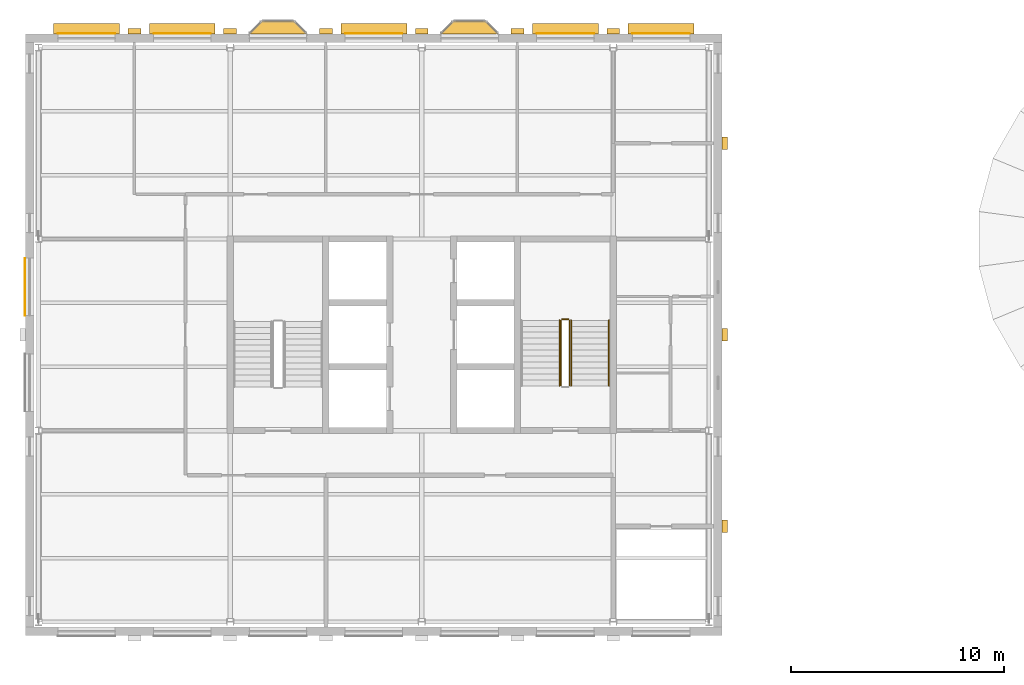
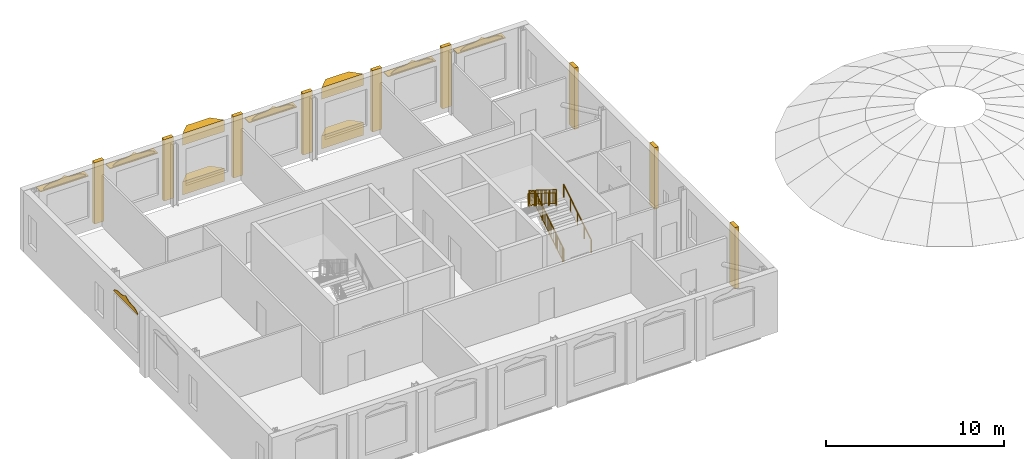
# One storey, part 11 of 11: 19 coverings, 6 railings, 5 shading devices.
"""IFC4 building model written with IfcOpenShell, lengths in metres."""

import ifcopenshell
import ifcopenshell.guid

model = None  # the IFC model being written
_history = None  # IfcOwnerHistory: only IFC2X3 demands one
_inside = {}  # id of a spatial element -> (the spatial element, [elements in it])
_under = {}  # id of a project, library or spatial element -> (it, [spatial elements below it])
_declared = {}  # id of a project -> (the project, [libraries it declares])
_typed = {}  # id of a type object -> (the type object, [elements of that type])
_made_of = {}  # id of a material, layer set ... -> (it, [elements and type objects made of it])


def new_model(schema):
    """Start an empty IFC model of exactly this schema.

    Asked for "IFC4X3", IfcOpenShell would pick the latest addendum, in which some entities
    have other attributes; the version numbers below select the first issue.
    IFC2X3 requires an IfcOwnerHistory on every rooted entity: one is made here for all.
    """
    global model, _history
    if schema == "IFC4X3":
        model = ifcopenshell.file(schema_version=(4, 3, 0, 0))
    else:
        model = ifcopenshell.file(schema=schema)
    _inside.clear()
    _under.clear()
    _declared.clear()
    _typed.clear()
    _made_of.clear()
    _history = None
    if model.schema == "IFC2X3":
        org = make("IfcOrganization", Name="unknown")
        user = make(
            "IfcPersonAndOrganization",
            ThePerson=make("IfcPerson", FamilyName="unknown"),
            TheOrganization=org,
        )
        app = make(
            "IfcApplication",
            ApplicationDeveloper=org,
            Version="unknown",
            ApplicationFullName="unknown",
            ApplicationIdentifier="unknown",
        )
        _history = make(
            "IfcOwnerHistory",
            OwningUser=user,
            OwningApplication=app,
            ChangeAction="ADDED",
            CreationDate=0,
        )
    return model


def make(cls, **values):
    """One entity of the class cls with the attributes given. An attribute that is None is left unset."""
    return model.create_entity(
        cls, **{name: value for name, value in values.items() if value is not None}
    )


def rooted(cls, **values):
    """An entity with a GlobalId (a new one), such as an element, a storey or a relation."""
    return make(cls, GlobalId=ifcopenshell.guid.new(), OwnerHistory=_history, **values)


def si_unit(unit_type, name, prefix=None):
    """IfcSIUnit, for example si_unit("LENGTHUNIT", "METRE", prefix="MILLI")."""
    return make("IfcSIUnit", UnitType=unit_type, Prefix=prefix, Name=name)


def assignment(units):
    """IfcUnitAssignment: the units of a project."""
    return None if units is None else make("IfcUnitAssignment", Units=units)


def point(xyz):
    """IfcCartesianPoint."""
    return None if xyz is None else make("IfcCartesianPoint", Coordinates=xyz)


def direction(xyz):
    """IfcDirection."""
    return None if xyz is None else make("IfcDirection", DirectionRatios=xyz)


def frame(location, z_axis=None, x_axis=None):
    """IfcAxis2Placement3D, a coordinate frame: its origin and axes. An axis left out is left unset."""
    return make(
        "IfcAxis2Placement3D",
        Location=point(location),
        Axis=direction(z_axis),
        RefDirection=direction(x_axis),
    )


def frame_2d(location, x_axis=None):
    """IfcAxis2Placement2D, a coordinate frame in the plane: its origin and x axis."""
    return make(
        "IfcAxis2Placement2D", Location=point(location), RefDirection=direction(x_axis)
    )


def origin():
    """The frame at (0, 0, 0) with its axes left unset."""
    return frame((0.0, 0.0, 0.0))


def origin_2d():
    """The frame at (0, 0) in the plane with its x axis left unset."""
    return frame_2d((0.0, 0.0))


def place(relative_to, where):
    """IfcLocalPlacement: puts the frame where relative to a parent placement (None: the world)."""
    return make(
        "IfcLocalPlacement", PlacementRelTo=relative_to, RelativePlacement=where
    )


def context(
    kind, dimensions, precision=None, world=None, true_north=None, identifier=None
):
    """IfcGeometricRepresentationContext, for example the 3D "Model" context."""
    return make(
        "IfcGeometricRepresentationContext",
        ContextIdentifier=identifier,
        ContextType=kind,
        CoordinateSpaceDimension=dimensions,
        Precision=precision,
        WorldCoordinateSystem=world,
        TrueNorth=true_north,
    )


def subcontext(parent, identifier, kind, view, scale=None):
    """IfcGeometricRepresentationSubContext, for example "Body" below "Model"."""
    return make(
        "IfcGeometricRepresentationSubContext",
        ContextIdentifier=identifier,
        ContextType=kind,
        ParentContext=parent,
        TargetScale=scale,
        TargetView=view,
    )


def project(units=None, contexts=None):
    """IfcProject with its units and contexts."""
    return rooted(
        "IfcProject",
        Name="project",
        RepresentationContexts=contexts,
        UnitsInContext=assignment(units),
    )


def spatial(cls, under=None, at=None, **own):
    """A site, building, storey or space (cls), placed at a placement, below another one or the project."""
    s = rooted(cls, ObjectPlacement=at, **own)
    if under is not None:
        _under.setdefault(under.id(), (under, []))[1].append(s)
    return s


def polyline(points):
    """IfcPolyline through the points."""
    return make("IfcPolyline", Points=[point(p) for p in points])


def profile(cls, at=None, kind="AREA", **sizes):
    """A parametric profile (cls). Its sizes go by their IFC names, for example OverallWidth=200.0."""
    return make(cls, ProfileType=kind, Position=at, **sizes)


def rectangle(**sizes):
    """IfcRectangleProfileDef."""
    return profile("IfcRectangleProfileDef", **sizes)


def circle(**sizes):
    """IfcCircleProfileDef."""
    return profile("IfcCircleProfileDef", **sizes)


def outline(outer, holes=None, kind="AREA"):
    """IfcArbitraryClosedProfileDef: a profile drawn as a closed curve; with holes, ...WithVoids."""
    if holes is None:
        return make("IfcArbitraryClosedProfileDef", ProfileType=kind, OuterCurve=outer)
    return make(
        "IfcArbitraryProfileDefWithVoids",
        ProfileType=kind,
        OuterCurve=outer,
        InnerCurves=holes,
    )


def extrude(swept, where, along, depth):
    """IfcExtrudedAreaSolid: the profile swept, set in the frame where, extruded along a direction by depth."""
    return make(
        "IfcExtrudedAreaSolid",
        SweptArea=swept,
        Position=where,
        ExtrudedDirection=direction(along),
        Depth=depth,
    )


def shape(context_of_items, identifier, shape_type, items):
    """IfcShapeRepresentation: the items that make up one representation, for example the "Body"."""
    return make(
        "IfcShapeRepresentation",
        ContextOfItems=context_of_items,
        RepresentationIdentifier=identifier,
        RepresentationType=shape_type,
        Items=items,
    )


def material(Name=None, Category=None):
    """IfcMaterial."""
    return make("IfcMaterial", Name=Name, Category=Category)


def layer(
    of_material, thickness, ventilated=None, Name=None, Category=None, Priority=None
):
    """IfcMaterialLayer: one layer of a wall or slab, of a material (None: an air gap)."""
    return make(
        "IfcMaterialLayer",
        Material=of_material,
        LayerThickness=thickness,
        IsVentilated=ventilated,
        Name=Name,
        Category=Category,
        Priority=Priority,
    )


def layer_set(layers, Name=None):
    """IfcMaterialLayerSet."""
    return make("IfcMaterialLayerSet", MaterialLayers=layers, LayerSetName=Name)


def made_of(thing, what):
    """Note that an element or type object is made of a material, layer set ...; save() writes the relation."""
    if what is not None:
        _made_of.setdefault(what.id(), (what, []))[1].append(thing)
    return thing


def type_object(cls, material=None, **own):
    """A type object (cls), such as IfcWallType, which elements share."""
    return made_of(rooted(cls, **own), material)


def element(
    cls,
    number,
    at=None,
    inside=None,
    cuts=None,
    type_object=None,
    material=None,
    context=None,
    identifier="Body",
    shape_type=None,
    held_by="IfcProductDefinitionShape",
    body=None,
    shapes=None,
    **own,
):
    """One element of the class cls, such as IfcWall. Its Tag is "e" and its number.

    at: its placement. inside: the storey or other place that contains it. cuts: it is an
    opening in that element (IfcRelVoidsElement). A single representation is given by context,
    identifier, shape_type and body (its items); several are given by shapes. held_by: the class
    of the entity that holds the representations. save() writes the other relations.
    """
    e = rooted(cls, Tag="e%d" % number, ObjectPlacement=at, **own)
    if body is not None:
        shapes = [shape(context, identifier, shape_type, body)]
    if shapes is not None:
        e.Representation = make(held_by, Representations=shapes)
    if inside is not None:
        _inside.setdefault(inside.id(), (inside, []))[1].append(e)
    if cuts is not None:
        rooted(
            "IfcRelVoidsElement", RelatingBuildingElement=cuts, RelatedOpeningElement=e
        )
    if type_object is not None:
        _typed.setdefault(type_object.id(), (type_object, []))[1].append(e)
    return made_of(e, material)


def aggregate(whole, parts):
    """IfcRelAggregates: a whole, such as a stair, and the parts it consists of."""
    return rooted("IfcRelAggregates", RelatingObject=whole, RelatedObjects=parts)


def save(model, path):
    """Write the relations noted so far, then the file.

    IfcRelAggregates (storeys below a building ...), IfcRelContainedInSpatialStructure (elements
    in a storey), IfcRelDefinesByType, IfcRelAssociatesMaterial and IfcRelDeclares: one each for
    every whole, place, type object, material and project.
    """
    for whole, parts in _under.values():
        aggregate(whole, parts)
    for where, things in _inside.values():
        rooted(
            "IfcRelContainedInSpatialStructure",
            RelatedElements=things,
            RelatingStructure=where,
        )
    for kind, things in _typed.values():
        rooted("IfcRelDefinesByType", RelatedObjects=things, RelatingType=kind)
    for what, things in _made_of.values():
        rooted("IfcRelAssociatesMaterial", RelatedObjects=things, RelatingMaterial=what)
    for by, libraries in _declared.values():
        rooted("IfcRelDeclares", RelatingContext=by, RelatedDefinitions=libraries)
    model.write(path)


model = new_model("IFC4")

# Units and contexts
model_context = context("Model", 3, precision=1e-05, world=origin(), true_north=direction((0.0, 1.0)))
body_context = subcontext(model_context, "Body", "Model", "MODEL_VIEW")
ifc_project = project(units=[si_unit("LENGTHUNIT", "METRE"), si_unit("AREAUNIT", "SQUARE_METRE"), si_unit("VOLUMEUNIT", "CUBIC_METRE"), si_unit("PLANEANGLEUNIT", "RADIAN"), si_unit("MASSUNIT", "GRAM", prefix="KILO")], contexts=[model_context])

# Site, building, storey
site_placement = place(None, origin())
site = spatial("IfcSite", under=ifc_project, at=site_placement, CompositionType="ELEMENT")
building_placement = place(site_placement, origin())
building = spatial("IfcBuilding", under=site, at=building_placement, Name="Hortulan Conservatory and Botanical Research Centre", CompositionType="ELEMENT")
storey_placement = place(building_placement, frame((0.0, 0.0, 27.60009765625)))
storey = spatial("IfcBuildingStorey", under=building, at=storey_placement, Name="L06", CompositionType="ELEMENT", Elevation=27.60009765625)

# Shading devices
ifc_material_1 = material(Name="Bronze-finished perforated aluminium", Category="aluminium")
ifc_layer_1 = layer(ifc_material_1, 0.06005859375)
ifc_layer_set_1 = layer_set([ifc_layer_1], Name="Catenary Hood 3100x500x60")
shading_device_type = type_object("IfcShadingDeviceType", Name="Catenary Hood 3100x500x60", PredefinedType="USERDEFINED", material=ifc_layer_set_1)
for number, where, z_axis, x_axis, name in (
    (1, (2.25, 27.885986328125, 3.409912109375), (0.0, 0.0, 1.0), (1.0, 0.0, 0.0), "Catenary hood"),
    (2, (6.75, 27.885986328125, 3.409912109375), (0.0, 0.0, 1.0), (1.0, 0.0, 0.0), "Catenary hood"),
    (3, (15.75, 27.885986328125, 3.409912109375), (0.0, 0.0, 1.0), (1.0, 0.0, 0.0), "Catenary hood"),
    (4, (24.75, 27.885986328125, 3.409912109375), (0.0, 0.0, 1.0), (1.0, 0.0, 0.0), "Catenary hood"),
    (5, (29.25, 27.885986328125, 3.409912109375), (0.0, 0.0, 1.0), (1.0, 0.0, 0.0), "Catenary hood"),
):
    element("IfcShadingDevice", number, at=place(storey_placement, frame(where, z_axis=z_axis, x_axis=x_axis)), inside=storey, type_object=shading_device_type, Name=name, ObjectType="Catenary hood", PredefinedType="USERDEFINED", context=body_context, shape_type="SweptSolid", body=[
        extrude(rectangle(XDim=3.10009765625, YDim=0.5, at=origin_2d()), origin(), (0.0, 0.0, 1.0), 0.06005859375),
    ])

# Coverings
ifc_material_2 = material(Name="Faience cladding, cream glaze (non-combustible)", Category="ceramic")
ifc_layer_2 = layer(ifc_material_2, 0.030029296875)
ifc_layer_set_2 = layer_set([ifc_layer_2], Name="Faience Ogee Head Panel Cream 2700x500")
covering_type_1 = type_object("IfcCoveringType", Name="Faience Ogee Head Panel Cream 2700x500", PredefinedType="CLADDING", material=ifc_layer_set_2)
covering_1_placement = place(storey_placement, frame((5.39990234375, 27.65087890625, 3.52001953125), z_axis=(0.0, 0.0, 1.0), x_axis=(1.0, 0.0, 0.0)))
element("IfcCovering", 6, at=covering_1_placement, inside=storey, type_object=covering_type_1, Name="Ogee head panel", PredefinedType="CLADDING", context=body_context, shape_type="SweptSolid", body=[
    extrude(outline(polyline([(0.0, 0.0), (2.699951171875, 0.0), (2.699951171875, 0.079833984375), (2.58740234375, 0.1484375), (2.47509765625, 0.2080078125), (2.362548828125, 0.252197265625), (2.25, 0.278076171875), (2.137451171875, 0.28857421875), (2.02490234375, 0.289794921875), (1.91259765625, 0.291259765625), (1.800048828125, 0.3017578125), (1.6875, 0.32763671875), (1.574951171875, 0.37158203125), (1.46240234375, 0.431396484375), (1.35009765625, 0.5), (1.237548828125, 0.431396484375), (1.125, 0.37158203125), (1.012451171875, 0.32763671875), (0.89990234375, 0.3017578125), (0.78759765625, 0.291259765625), (0.675048828125, 0.289794921875), (0.5625, 0.28857421875), (0.449951171875, 0.278076171875), (0.33740234375, 0.252197265625), (0.22509765625, 0.2080078125), (0.112548828125, 0.1484375), (0.0, 0.079833984375), (0.0, 0.0)])), frame((0.0, 0.01513671875, 0.0), z_axis=(0.0, -1.0, 0.0), x_axis=(1.0, 0.0, 0.0)), (0.0, 0.0, 1.0), 0.030029296875),
])
ifc_material_3 = material(Name="Faience cladding, waratah crimson glaze (non-combustible)", Category="ceramic")
ifc_layer_3 = layer(ifc_material_3, 0.030029296875)
ifc_layer_set_3 = layer_set([ifc_layer_3], Name="Faience Ogee Head Panel Crimson 2700x500")
covering_type_2 = type_object("IfcCoveringType", Name="Faience Ogee Head Panel Crimson 2700x500", PredefinedType="CLADDING", material=ifc_layer_set_3)
for number, where, z_axis, x_axis, name in (
    (7, (-0.639892578125, 14.39990234375, 3.52001953125), (0.0, 0.0, 1.0), (0.0, 1.0, 0.0), "Ogee head panel"),
    (8, (14.39990234375, 27.65087890625, 3.52001953125), (0.0, 0.0, 1.0), (1.0, 0.0, 0.0), "Ogee head panel"),
):
    element("IfcCovering", number, at=place(storey_placement, frame(where, z_axis=z_axis, x_axis=x_axis)), inside=storey, type_object=covering_type_2, Name=name, PredefinedType="CLADDING", context=body_context, shape_type="SweptSolid", body=[
        extrude(outline(polyline([(0.0, 0.0), (2.699951171875, 0.0), (2.699951171875, 0.079833984375), (2.58740234375, 0.1484375), (2.47509765625, 0.2080078125), (2.362548828125, 0.252197265625), (2.25, 0.278076171875), (2.137451171875, 0.28857421875), (2.02490234375, 0.289794921875), (1.91259765625, 0.291259765625), (1.800048828125, 0.3017578125), (1.6875, 0.32763671875), (1.574951171875, 0.37158203125), (1.46240234375, 0.431396484375), (1.35009765625, 0.5), (1.237548828125, 0.431396484375), (1.125, 0.37158203125), (1.012451171875, 0.32763671875), (0.89990234375, 0.3017578125), (0.78759765625, 0.291259765625), (0.675048828125, 0.289794921875), (0.5625, 0.28857421875), (0.449951171875, 0.278076171875), (0.33740234375, 0.252197265625), (0.22509765625, 0.2080078125), (0.112548828125, 0.1484375), (0.0, 0.079833984375), (0.0, 0.0)])), frame((0.0, 0.01513671875, 0.0), z_axis=(0.0, -1.0, 0.0), x_axis=(1.0, 0.0, 0.0)), (0.0, 0.0, 1.0), 0.030029296875),
    ])
ifc_material_4 = material(Name="Faience cladding, harbour teal glaze (non-combustible)", Category="ceramic")
ifc_layer_4 = layer(ifc_material_4, 0.030029296875)
ifc_layer_set_4 = layer_set([ifc_layer_4], Name="Faience Ogee Head Panel Teal 2700x500")
covering_type_3 = type_object("IfcCoveringType", Name="Faience Ogee Head Panel Teal 2700x500", PredefinedType="CLADDING", material=ifc_layer_set_4)
for number, where, z_axis, x_axis, name in (
    (9, (0.89990234375, 27.65087890625, 3.52001953125), (0.0, 0.0, 1.0), (1.0, 0.0, 0.0), "Ogee head panel"),
    (10, (23.39990234375, 27.65087890625, 3.52001953125), (0.0, 0.0, 1.0), (1.0, 0.0, 0.0), "Ogee head panel"),
    (11, (27.89990234375, 27.65087890625, 3.52001953125), (0.0, 0.0, 1.0), (1.0, 0.0, 0.0), "Ogee head panel"),
):
    element("IfcCovering", number, at=place(storey_placement, frame(where, z_axis=z_axis, x_axis=x_axis)), inside=storey, type_object=covering_type_3, Name=name, PredefinedType="CLADDING", context=body_context, shape_type="SweptSolid", body=[
        extrude(outline(polyline([(0.0, 0.0), (2.699951171875, 0.0), (2.699951171875, 0.079833984375), (2.58740234375, 0.1484375), (2.47509765625, 0.2080078125), (2.362548828125, 0.252197265625), (2.25, 0.278076171875), (2.137451171875, 0.28857421875), (2.02490234375, 0.289794921875), (1.91259765625, 0.291259765625), (1.800048828125, 0.3017578125), (1.6875, 0.32763671875), (1.574951171875, 0.37158203125), (1.46240234375, 0.431396484375), (1.35009765625, 0.5), (1.237548828125, 0.431396484375), (1.125, 0.37158203125), (1.012451171875, 0.32763671875), (0.89990234375, 0.3017578125), (0.78759765625, 0.291259765625), (0.675048828125, 0.289794921875), (0.5625, 0.28857421875), (0.449951171875, 0.278076171875), (0.33740234375, 0.252197265625), (0.22509765625, 0.2080078125), (0.112548828125, 0.1484375), (0.0, 0.079833984375), (0.0, 0.0)])), frame((0.0, 0.01513671875, 0.0), z_axis=(0.0, -1.0, 0.0), x_axis=(1.0, 0.0, 0.0)), (0.0, 0.0, 1.0), 0.030029296875),
    ])
ifc_material_5 = material(Name="Faience-faced brickwork masonry", Category="masonry")
covering_type_4 = type_object("IfcCoveringType", Name="Faience Oriel Base", PredefinedType="CLADDING", material=ifc_material_5)
covering_2_placement = place(storey_placement, origin())
element("IfcCovering", 12, at=covering_2_placement, inside=storey, type_object=covering_type_4, Name="Oriel base", PredefinedType="CLADDING", context=body_context, shape_type="SweptSolid", body=[
    extrude(outline(polyline([(9.89990234375, 27.635986328125), (10.5, 28.236083984375), (12.0, 28.236083984375), (12.60009765625, 27.635986328125), (9.89990234375, 27.635986328125)])), origin(), (0.0, 0.0, 1.0), 0.89990234375),
])
covering_3_placement = place(storey_placement, origin())
element("IfcCovering", 13, at=covering_3_placement, inside=storey, type_object=covering_type_4, Name="Oriel base", PredefinedType="CLADDING", context=body_context, shape_type="SweptSolid", body=[
    extrude(outline(polyline([(18.89990234375, 27.635986328125), (19.5, 28.236083984375), (21.0, 28.236083984375), (21.60009765625, 27.635986328125), (18.89990234375, 27.635986328125)])), origin(), (0.0, 0.0, 1.0), 0.89990234375),
])
covering_type_5 = type_object("IfcCoveringType", Name="Faience Oriel Frieze", PredefinedType="CLADDING", material=ifc_material_5)
covering_4_placement = place(storey_placement, frame((0.0, 0.0, 3.39990234375)))
element("IfcCovering", 14, at=covering_4_placement, inside=storey, type_object=covering_type_5, Name="Oriel frieze", PredefinedType="CLADDING", context=body_context, shape_type="SweptSolid", body=[
    extrude(outline(polyline([(9.89990234375, 27.635986328125), (10.5, 28.236083984375), (12.0, 28.236083984375), (12.60009765625, 27.635986328125), (9.89990234375, 27.635986328125)])), origin(), (0.0, 0.0, 1.0), 0.800048828125),
])
covering_5_placement = place(storey_placement, frame((0.0, 0.0, 3.39990234375)))
element("IfcCovering", 15, at=covering_5_placement, inside=storey, type_object=covering_type_5, Name="Oriel frieze", PredefinedType="CLADDING", context=body_context, shape_type="SweptSolid", body=[
    extrude(outline(polyline([(18.89990234375, 27.635986328125), (19.5, 28.236083984375), (21.0, 28.236083984375), (21.60009765625, 27.635986328125), (18.89990234375, 27.635986328125)])), origin(), (0.0, 0.0, 1.0), 0.800048828125),
])
ifc_layer_5 = layer(ifc_material_2, 0.25)
ifc_layer_set_5 = layer_set([ifc_layer_5], Name="Faience Pilaster 600x250")
covering_type_6 = type_object("IfcCoveringType", Name="Faience Pilaster 600x250", PredefinedType="CLADDING", material=ifc_layer_set_5)
for number, where, z_axis, x_axis, name in (
    (16, (4.5, 27.760986328125, 0.0), (0.0, 0.0, 1.0), (1.0, 0.0, 0.0), "Pier"),
    (17, (9.0, 27.760986328125, 0.0), (0.0, 0.0, 1.0), (1.0, 0.0, 0.0), "Pier"),
    (18, (13.5, 27.760986328125, 0.0), (0.0, 0.0, 1.0), (1.0, 0.0, 0.0), "Pier"),
    (19, (18.0, 27.760986328125, 0.0), (0.0, 0.0, 1.0), (1.0, 0.0, 0.0), "Pier"),
    (20, (22.5, 27.760986328125, 0.0), (0.0, 0.0, 1.0), (1.0, 0.0, 0.0), "Pier"),
    (21, (27.0, 27.760986328125, 0.0), (0.0, 0.0, 1.0), (1.0, 0.0, 0.0), "Pier"),
    (22, (32.25, 4.5, 0.0), (0.0, 0.0, 1.0), (0.0, 1.0, 0.0), "Pier"),
    (23, (32.25, 13.5, 0.0), (0.0, 0.0, 1.0), (0.0, 1.0, 0.0), "Pier"),
    (24, (32.25, 22.5, 0.0), (0.0, 0.0, 1.0), (0.0, 1.0, 0.0), "Pier"),
):
    element("IfcCovering", number, at=place(storey_placement, frame(where, z_axis=z_axis, x_axis=x_axis)), inside=storey, type_object=covering_type_6, Name=name, PredefinedType="CLADDING", context=body_context, shape_type="SweptSolid", body=[
        extrude(rectangle(XDim=0.60009765625, YDim=0.25, at=origin_2d()), origin(), (0.0, 0.0, 1.0), 4.199951171875),
    ])

# Railings
ifc_material_6 = material(Name="Steel balustrade, bronze-charcoal paint", Category="steel")
railing_type_1 = type_object("IfcRailingType", Name="Stair Guard 1100", PredefinedType="GUARDRAIL", material=ifc_material_6)
railing_1_placement = place(storey_placement, frame((24.949951171875, 11.10009765625, 0.1748046875)))
element("IfcRailing", 25, at=railing_1_placement, inside=storey, type_object=railing_type_1, Name="Guard T2 L06 stair 1", PredefinedType="GUARDRAIL", context=body_context, shape_type="SweptSolid", body=[
    extrude(circle(Radius=0.02392578125, at=origin_2d()), frame((0.0, 0.0, 1.076171875), z_axis=(0.0, 0.847979421464, 0.530029150871), x_axis=(-1.0, 0.0, 0.0)), (0.0, 0.0, 1.0), 3.632080078125),
    extrude(circle(Radius=0.02392578125, at=origin_2d()), frame((0.0, 0.0, 0.1240234375), z_axis=(0.0, 0.847979421464, 0.530029150871), x_axis=(-1.0, 0.0, 0.0)), (0.0, 0.0, 1.0), 3.632080078125),
    extrude(circle(Radius=0.008056640625, at=origin_2d()), frame((0.0, 0.090576171875, 0.204833984375)), (0.0, 0.0, 1.0), 0.90380859375),
    extrude(circle(Radius=0.008056640625, at=origin_2d()), frame((0.0, 0.18115234375, 0.261474609375)), (0.0, 0.0, 1.0), 0.90380859375),
    extrude(circle(Radius=0.008056640625, at=origin_2d()), frame((0.0, 0.271728515625, 0.318115234375)), (0.0, 0.0, 1.0), 0.90380859375),
    extrude(circle(Radius=0.008056640625, at=origin_2d()), frame((0.0, 0.3623046875, 0.374755859375)), (0.0, 0.0, 1.0), 0.90380859375),
    extrude(circle(Radius=0.008056640625, at=origin_2d()), frame((0.0, 0.452880859375, 0.431396484375)), (0.0, 0.0, 1.0), 0.90380859375),
    extrude(circle(Radius=0.008056640625, at=origin_2d()), frame((0.0, 0.54345703125, 0.48779296875)), (0.0, 0.0, 1.0), 0.90380859375),
    extrude(circle(Radius=0.008056640625, at=origin_2d()), frame((0.0, 0.634033203125, 0.54443359375)), (0.0, 0.0, 1.0), 0.90380859375),
    extrude(circle(Radius=0.008056640625, at=origin_2d()), frame((0.0, 0.724609375, 0.60107421875)), (0.0, 0.0, 1.0), 0.90380859375),
    extrude(circle(Radius=0.008056640625, at=origin_2d()), frame((0.0, 0.815185546875, 0.65771484375)), (0.0, 0.0, 1.0), 0.90380859375),
    extrude(circle(Radius=0.008056640625, at=origin_2d()), frame((0.0, 0.90576171875, 0.71435546875)), (0.0, 0.0, 1.0), 0.90380859375),
    extrude(circle(Radius=0.008056640625, at=origin_2d()), frame((0.0, 0.996337890625, 0.77099609375)), (0.0, 0.0, 1.0), 0.90380859375),
    extrude(circle(Radius=0.008056640625, at=origin_2d()), frame((0.0, 1.0869140625, 0.82763671875)), (0.0, 0.0, 1.0), 0.90380859375),
    extrude(circle(Radius=0.008056640625, at=origin_2d()), frame((0.0, 1.177490234375, 0.88427734375)), (0.0, 0.0, 1.0), 0.90380859375),
    extrude(circle(Radius=0.008056640625, at=origin_2d()), frame((0.0, 1.26806640625, 0.94091796875)), (0.0, 0.0, 1.0), 0.90380859375),
    extrude(circle(Radius=0.008056640625, at=origin_2d()), frame((0.0, 1.358642578125, 0.99755859375)), (0.0, 0.0, 1.0), 0.90380859375),
    extrude(circle(Radius=0.008056640625, at=origin_2d()), frame((0.0, 1.44921875, 1.05419921875)), (0.0, 0.0, 1.0), 0.90380859375),
    extrude(circle(Radius=0.008056640625, at=origin_2d()), frame((0.0, 1.5400390625, 1.11083984375)), (0.0, 0.0, 1.0), 0.90380859375),
    extrude(circle(Radius=0.008056640625, at=origin_2d()), frame((0.0, 1.630615234375, 1.167236328125)), (0.0, 0.0, 1.0), 0.90380859375),
    extrude(circle(Radius=0.008056640625, at=origin_2d()), frame((0.0, 1.72119140625, 1.223876953125)), (0.0, 0.0, 1.0), 0.90380859375),
    extrude(circle(Radius=0.008056640625, at=origin_2d()), frame((0.0, 1.811767578125, 1.280517578125)), (0.0, 0.0, 1.0), 0.90380859375),
    extrude(circle(Radius=0.008056640625, at=origin_2d()), frame((0.0, 1.90234375, 1.337158203125)), (0.0, 0.0, 1.0), 0.90380859375),
    extrude(circle(Radius=0.008056640625, at=origin_2d()), frame((0.0, 1.992919921875, 1.393798828125)), (0.0, 0.0, 1.0), 0.90380859375),
    extrude(circle(Radius=0.008056640625, at=origin_2d()), frame((0.0, 2.08349609375, 1.450439453125)), (0.0, 0.0, 1.0), 0.90380859375),
    extrude(circle(Radius=0.008056640625, at=origin_2d()), frame((0.0, 2.174072265625, 1.507080078125)), (0.0, 0.0, 1.0), 0.90380859375),
    extrude(circle(Radius=0.008056640625, at=origin_2d()), frame((0.0, 2.2646484375, 1.563720703125)), (0.0, 0.0, 1.0), 0.90380859375),
    extrude(circle(Radius=0.008056640625, at=origin_2d()), frame((0.0, 2.355224609375, 1.620361328125)), (0.0, 0.0, 1.0), 0.90380859375),
    extrude(circle(Radius=0.008056640625, at=origin_2d()), frame((0.0, 2.44580078125, 1.677001953125)), (0.0, 0.0, 1.0), 0.90380859375),
    extrude(circle(Radius=0.008056640625, at=origin_2d()), frame((0.0, 2.536376953125, 1.733642578125)), (0.0, 0.0, 1.0), 0.90380859375),
    extrude(circle(Radius=0.008056640625, at=origin_2d()), frame((0.0, 2.626953125, 1.7900390625)), (0.0, 0.0, 1.0), 0.90380859375),
    extrude(circle(Radius=0.008056640625, at=origin_2d()), frame((0.0, 2.717529296875, 1.8466796875)), (0.0, 0.0, 1.0), 0.90380859375),
    extrude(circle(Radius=0.008056640625, at=origin_2d()), frame((0.0, 2.80810546875, 1.9033203125)), (0.0, 0.0, 1.0), 0.90380859375),
    extrude(circle(Radius=0.008056640625, at=origin_2d()), frame((0.0, 2.898681640625, 1.9599609375)), (0.0, 0.0, 1.0), 0.90380859375),
    extrude(circle(Radius=0.008056640625, at=origin_2d()), frame((0.0, 2.9892578125, 2.0166015625)), (0.0, 0.0, 1.0), 0.90380859375),
    extrude(circle(Radius=0.02099609375, at=origin_2d()), origin(), (0.0, 0.0, 1.0), 1.052001953125),
    extrude(circle(Radius=0.02099609375, at=origin_2d()), frame((0.0, 0.77001953125, 0.481201171875)), (0.0, 0.0, 1.0), 1.052001953125),
    extrude(circle(Radius=0.02099609375, at=origin_2d()), frame((0.0, 1.5400390625, 0.96240234375)), (0.0, 0.0, 1.0), 1.052001953125),
    extrude(circle(Radius=0.02099609375, at=origin_2d()), frame((0.0, 2.309814453125, 1.44384765625)), (0.0, 0.0, 1.0), 1.052001953125),
    extrude(circle(Radius=0.02099609375, at=origin_2d()), frame((0.0, 3.079833984375, 1.925048828125)), (0.0, 0.0, 1.0), 1.052001953125),
])
railing_2_placement = place(storey_placement, frame((24.89990234375, 14.22998046875, 2.099853515625)))
element("IfcRailing", 26, at=railing_2_placement, inside=storey, type_object=railing_type_1, Name="Guard T2 L06 stair 2", PredefinedType="GUARDRAIL", context=body_context, shape_type="SweptSolid", body=[
    extrude(circle(Radius=0.02392578125, at=origin_2d()), frame((0.0, 0.0, 1.076171875), z_axis=(-1.0, 0.0, 0.0), x_axis=(0.0, -1.0, 0.0)), (0.0, 0.0, 1.0), 0.2998046875),
    extrude(circle(Radius=0.02392578125, at=origin_2d()), frame((0.0, 0.0, 0.1240234375), z_axis=(-1.0, 0.0, 0.0), x_axis=(0.0, -1.0, 0.0)), (0.0, 0.0, 1.0), 0.2998046875),
    extrude(circle(Radius=0.008056640625, at=origin_2d()), frame((-0.099853515625, 0.0, 0.148193359375)), (0.0, 0.0, 1.0), 0.90380859375),
    extrude(circle(Radius=0.008056640625, at=origin_2d()), frame((-0.199951171875, 0.0, 0.148193359375)), (0.0, 0.0, 1.0), 0.90380859375),
    extrude(circle(Radius=0.02099609375, at=origin_2d()), origin(), (0.0, 0.0, 1.0), 1.052001953125),
    extrude(circle(Radius=0.02099609375, at=origin_2d()), frame((-0.2998046875, 0.0, 0.0)), (0.0, 0.0, 1.0), 1.052001953125),
])
railing_3_placement = place(storey_placement, frame((24.550048828125, 14.179931640625, 2.27490234375)))
element("IfcRailing", 27, at=railing_3_placement, inside=storey, type_object=railing_type_1, Name="Guard T2 L06 stair 3", PredefinedType="GUARDRAIL", context=body_context, shape_type="SweptSolid", body=[
    extrude(circle(Radius=0.02392578125, at=origin_2d()), frame((0.0, 0.0, 1.076171875), z_axis=(0.0, -0.847979421464, 0.530029150871), x_axis=(1.0, 0.0, 0.0)), (0.0, 0.0, 1.0), 3.632080078125),
    extrude(circle(Radius=0.02392578125, at=origin_2d()), frame((0.0, 0.0, 0.1240234375), z_axis=(0.0, -0.847979421464, 0.530029150871), x_axis=(1.0, 0.0, 0.0)), (0.0, 0.0, 1.0), 3.632080078125),
    extrude(circle(Radius=0.008056640625, at=origin_2d()), frame((0.0, -0.090576171875, 0.204833984375)), (0.0, 0.0, 1.0), 0.90380859375),
    extrude(circle(Radius=0.008056640625, at=origin_2d()), frame((0.0, -0.18115234375, 0.261474609375)), (0.0, 0.0, 1.0), 0.90380859375),
    extrude(circle(Radius=0.008056640625, at=origin_2d()), frame((0.0, -0.271728515625, 0.318115234375)), (0.0, 0.0, 1.0), 0.90380859375),
    extrude(circle(Radius=0.008056640625, at=origin_2d()), frame((0.0, -0.3623046875, 0.374755859375)), (0.0, 0.0, 1.0), 0.90380859375),
    extrude(circle(Radius=0.008056640625, at=origin_2d()), frame((0.0, -0.452880859375, 0.431396484375)), (0.0, 0.0, 1.0), 0.90380859375),
    extrude(circle(Radius=0.008056640625, at=origin_2d()), frame((0.0, -0.54345703125, 0.48779296875)), (0.0, 0.0, 1.0), 0.90380859375),
    extrude(circle(Radius=0.008056640625, at=origin_2d()), frame((0.0, -0.634033203125, 0.54443359375)), (0.0, 0.0, 1.0), 0.90380859375),
    extrude(circle(Radius=0.008056640625, at=origin_2d()), frame((0.0, -0.724609375, 0.60107421875)), (0.0, 0.0, 1.0), 0.90380859375),
    extrude(circle(Radius=0.008056640625, at=origin_2d()), frame((0.0, -0.815185546875, 0.65771484375)), (0.0, 0.0, 1.0), 0.90380859375),
    extrude(circle(Radius=0.008056640625, at=origin_2d()), frame((0.0, -0.90576171875, 0.71435546875)), (0.0, 0.0, 1.0), 0.90380859375),
    extrude(circle(Radius=0.008056640625, at=origin_2d()), frame((0.0, -0.996337890625, 0.77099609375)), (0.0, 0.0, 1.0), 0.90380859375),
    extrude(circle(Radius=0.008056640625, at=origin_2d()), frame((0.0, -1.0869140625, 0.82763671875)), (0.0, 0.0, 1.0), 0.90380859375),
    extrude(circle(Radius=0.008056640625, at=origin_2d()), frame((0.0, -1.177490234375, 0.88427734375)), (0.0, 0.0, 1.0), 0.90380859375),
    extrude(circle(Radius=0.008056640625, at=origin_2d()), frame((0.0, -1.26806640625, 0.94091796875)), (0.0, 0.0, 1.0), 0.90380859375),
    extrude(circle(Radius=0.008056640625, at=origin_2d()), frame((0.0, -1.358642578125, 0.99755859375)), (0.0, 0.0, 1.0), 0.90380859375),
    extrude(circle(Radius=0.008056640625, at=origin_2d()), frame((0.0, -1.44921875, 1.05419921875)), (0.0, 0.0, 1.0), 0.90380859375),
    extrude(circle(Radius=0.008056640625, at=origin_2d()), frame((0.0, -1.5400390625, 1.11083984375)), (0.0, 0.0, 1.0), 0.90380859375),
    extrude(circle(Radius=0.008056640625, at=origin_2d()), frame((0.0, -1.630615234375, 1.167236328125)), (0.0, 0.0, 1.0), 0.90380859375),
    extrude(circle(Radius=0.008056640625, at=origin_2d()), frame((0.0, -1.72119140625, 1.223876953125)), (0.0, 0.0, 1.0), 0.90380859375),
    extrude(circle(Radius=0.008056640625, at=origin_2d()), frame((0.0, -1.811767578125, 1.280517578125)), (0.0, 0.0, 1.0), 0.90380859375),
    extrude(circle(Radius=0.008056640625, at=origin_2d()), frame((0.0, -1.90234375, 1.337158203125)), (0.0, 0.0, 1.0), 0.90380859375),
    extrude(circle(Radius=0.008056640625, at=origin_2d()), frame((0.0, -1.992919921875, 1.393798828125)), (0.0, 0.0, 1.0), 0.90380859375),
    extrude(circle(Radius=0.008056640625, at=origin_2d()), frame((0.0, -2.08349609375, 1.450439453125)), (0.0, 0.0, 1.0), 0.90380859375),
    extrude(circle(Radius=0.008056640625, at=origin_2d()), frame((0.0, -2.174072265625, 1.507080078125)), (0.0, 0.0, 1.0), 0.90380859375),
    extrude(circle(Radius=0.008056640625, at=origin_2d()), frame((0.0, -2.2646484375, 1.563720703125)), (0.0, 0.0, 1.0), 0.90380859375),
    extrude(circle(Radius=0.008056640625, at=origin_2d()), frame((0.0, -2.355224609375, 1.620361328125)), (0.0, 0.0, 1.0), 0.90380859375),
    extrude(circle(Radius=0.008056640625, at=origin_2d()), frame((0.0, -2.44580078125, 1.677001953125)), (0.0, 0.0, 1.0), 0.90380859375),
    extrude(circle(Radius=0.008056640625, at=origin_2d()), frame((0.0, -2.536376953125, 1.733642578125)), (0.0, 0.0, 1.0), 0.90380859375),
    extrude(circle(Radius=0.008056640625, at=origin_2d()), frame((0.0, -2.626953125, 1.7900390625)), (0.0, 0.0, 1.0), 0.90380859375),
    extrude(circle(Radius=0.008056640625, at=origin_2d()), frame((0.0, -2.717529296875, 1.8466796875)), (0.0, 0.0, 1.0), 0.90380859375),
    extrude(circle(Radius=0.008056640625, at=origin_2d()), frame((0.0, -2.80810546875, 1.9033203125)), (0.0, 0.0, 1.0), 0.90380859375),
    extrude(circle(Radius=0.008056640625, at=origin_2d()), frame((0.0, -2.898681640625, 1.9599609375)), (0.0, 0.0, 1.0), 0.90380859375),
    extrude(circle(Radius=0.008056640625, at=origin_2d()), frame((0.0, -2.9892578125, 2.0166015625)), (0.0, 0.0, 1.0), 0.90380859375),
    extrude(circle(Radius=0.02099609375, at=origin_2d()), origin(), (0.0, 0.0, 1.0), 1.052001953125),
    extrude(circle(Radius=0.02099609375, at=origin_2d()), frame((0.0, -0.77001953125, 0.481201171875)), (0.0, 0.0, 1.0), 1.052001953125),
    extrude(circle(Radius=0.02099609375, at=origin_2d()), frame((0.0, -1.5400390625, 0.96240234375)), (0.0, 0.0, 1.0), 1.052001953125),
    extrude(circle(Radius=0.02099609375, at=origin_2d()), frame((0.0, -2.309814453125, 1.44384765625)), (0.0, 0.0, 1.0), 1.052001953125),
    extrude(circle(Radius=0.02099609375, at=origin_2d()), frame((0.0, -3.079833984375, 1.925048828125)), (0.0, 0.0, 1.0), 1.052001953125),
])
ifc_material_7 = material(Name="Bronze handrail, polished", Category="metal")
railing_type_2 = type_object("IfcRailingType", Name="Stair Handrail 900", PredefinedType="HANDRAIL", material=ifc_material_7)
for number, where, name in (
    (28, (26.800048828125, 11.10009765625, 0.1748046875), "Handrail T2 L06 stair 1"),
    (29, (25.02001953125, 11.10009765625, 0.1748046875), "Handrail T2 L06 stair 3"),
):
    element("IfcRailing", number, at=place(storey_placement, frame(where)), inside=storey, type_object=railing_type_2, Name=name, PredefinedType="HANDRAIL", context=body_context, shape_type="SweptSolid", body=[
        extrude(circle(Radius=0.02392578125, at=origin_2d()), frame((0.0, 0.0, 0.8759765625), z_axis=(0.0, 0.847979421464, 0.530029150871), x_axis=(-1.0, 0.0, 0.0)), (0.0, 0.0, 1.0), 3.632080078125),
        extrude(circle(Radius=0.02099609375, at=origin_2d()), origin(), (0.0, 0.0, 1.0), 0.851806640625),
        extrude(circle(Radius=0.02099609375, at=origin_2d()), frame((0.0, 0.77001953125, 0.481201171875)), (0.0, 0.0, 1.0), 0.851806640625),
        extrude(circle(Radius=0.02099609375, at=origin_2d()), frame((0.0, 1.5400390625, 0.96240234375)), (0.0, 0.0, 1.0), 0.851806640625),
        extrude(circle(Radius=0.02099609375, at=origin_2d()), frame((0.0, 2.309814453125, 1.44384765625)), (0.0, 0.0, 1.0), 0.851806640625),
        extrude(circle(Radius=0.02099609375, at=origin_2d()), frame((0.0, 3.079833984375, 1.925048828125)), (0.0, 0.0, 1.0), 0.851806640625),
    ])
railing_4_placement = place(storey_placement, frame((24.47998046875, 14.179931640625, 2.27490234375)))
element("IfcRailing", 30, at=railing_4_placement, inside=storey, type_object=railing_type_2, Name="Handrail T2 L06 stair 4", PredefinedType="HANDRAIL", context=body_context, shape_type="SweptSolid", body=[
    extrude(circle(Radius=0.02392578125, at=origin_2d()), frame((0.0, 0.0, 0.8759765625), z_axis=(0.0, -0.847979421464, 0.530029150871), x_axis=(1.0, 0.0, 0.0)), (0.0, 0.0, 1.0), 3.632080078125),
    extrude(circle(Radius=0.02099609375, at=origin_2d()), origin(), (0.0, 0.0, 1.0), 0.851806640625),
    extrude(circle(Radius=0.02099609375, at=origin_2d()), frame((0.0, -0.77001953125, 0.481201171875)), (0.0, 0.0, 1.0), 0.851806640625),
    extrude(circle(Radius=0.02099609375, at=origin_2d()), frame((0.0, -1.5400390625, 0.96240234375)), (0.0, 0.0, 1.0), 0.851806640625),
    extrude(circle(Radius=0.02099609375, at=origin_2d()), frame((0.0, -2.309814453125, 1.44384765625)), (0.0, 0.0, 1.0), 0.851806640625),
    extrude(circle(Radius=0.02099609375, at=origin_2d()), frame((0.0, -3.079833984375, 1.925048828125)), (0.0, 0.0, 1.0), 0.851806640625),
])

save(model, "model.ifc")
